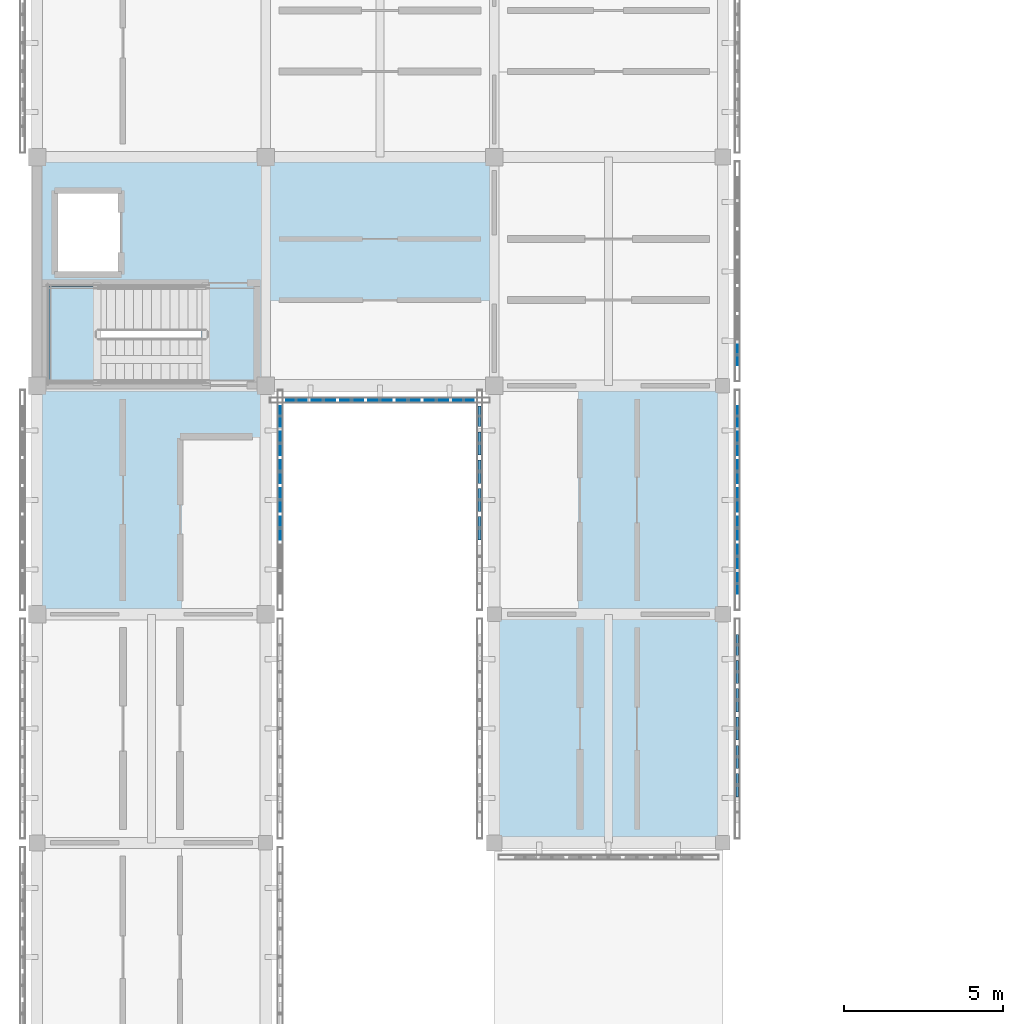
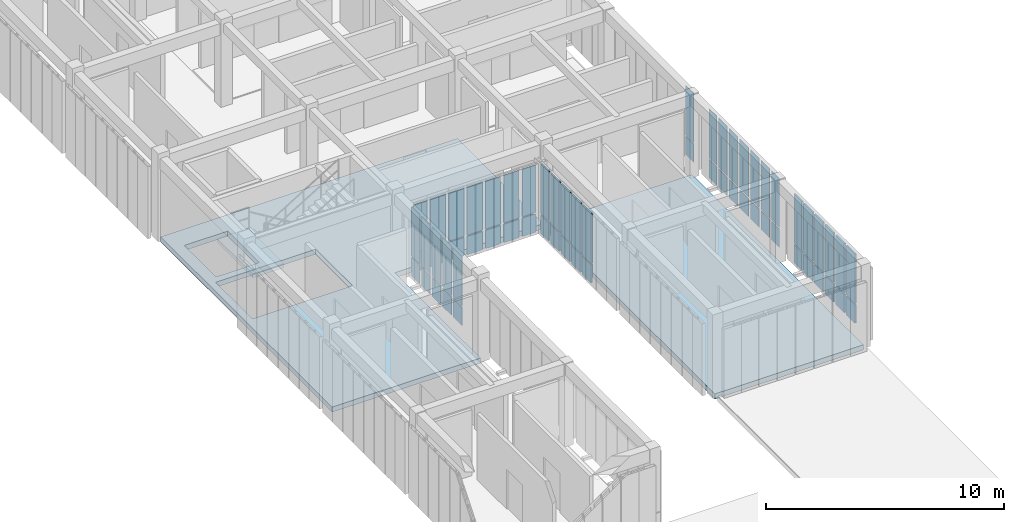
# One storey, part 45 of 91: 62 plates, 3 slabs, 7 elements without a shape of their own.
"""IFC4 building model written with IfcOpenShell, lengths in metres."""

from ifc_helpers import new_model, si_unit, direction, frame, origin, origin_2d, place, context, subcontext, project, spatial, polyline, rectangle, outline, extrude, material, layer, layer_set, type_object, element, aggregate, save


model = new_model("IFC4")

# Units and contexts
model_context = context("Model", 3, precision=1e-05, world=origin(), true_north=direction((0.0, 1.0)))
body_context = subcontext(model_context, "Body", "Model", "MODEL_VIEW")
ifc_project = project(units=[si_unit("LENGTHUNIT", "METRE"), si_unit("AREAUNIT", "SQUARE_METRE"), si_unit("VOLUMEUNIT", "CUBIC_METRE"), si_unit("PLANEANGLEUNIT", "RADIAN"), si_unit("MASSUNIT", "GRAM", prefix="KILO")], contexts=[model_context])

# Site, building, storey
site_placement = place(None, origin())
site = spatial("IfcSite", under=ifc_project, at=site_placement, CompositionType="ELEMENT")
building_placement = place(site_placement, origin())
building = spatial("IfcBuilding", under=site, at=building_placement, Name="Aldebral Square Health Centre", CompositionType="ELEMENT")
storey_placement = place(building_placement, frame((0.0, 0.0, 9.0)))
storey = spatial("IfcBuildingStorey", under=building, at=storey_placement, Name="L02", CompositionType="ELEMENT", Elevation=9.0)

# Curtain wall, plates
ifc_material_1 = material(Name="Aluminium and low-E solar glass", Category="aluminium")
curtain_wall_type = type_object("IfcCurtainWallType", Name="CW-FIN-SYS", PredefinedType="USERDEFINED", material=ifc_material_1)
curtain_wall_1_placement = place(storey_placement, origin())
curtain_wall_1 = element("IfcCurtainWall", 1, at=curtain_wall_1_placement, inside=storey, type_object=curtain_wall_type, Name="L02 V6 finned curtain wall L02-V6-02-03-E", ObjectType="SOLAR_CURTAIN_WALL", PredefinedType="USERDEFINED")
ifc_material_2 = material(Name="Solar-control low-E double glass", Category="glass")
ifc_layer_1 = layer(ifc_material_2, 0.02001953125, Name="Solar-control low-E double glass", Category="glass")
ifc_layer_set_1 = layer_set([ifc_layer_1], Name="Solar-control low-E double glass")
plate_type_1 = type_object("IfcPlateType", Name="CWP-GLZ-1", PredefinedType="CURTAIN_PANEL", material=ifc_layer_set_1)
plate_1_placement = place(storey_placement, frame((22.06005859375, 22.565673828125, 0.074951171875), z_axis=(0.0, 0.0, 1.0), x_axis=(0.0, 1.0, 0.0)))
plate_1 = element("IfcPlate", 2, at=plate_1_placement, type_object=plate_type_1, Name="CW1 panel 1.1", PredefinedType="CURTAIN_PANEL", context=body_context, shape_type="SweptSolid", body=[
    extrude(rectangle(XDim=0.6513671875, YDim=0.02001953125, at=origin_2d()), origin(), (0.0, 0.0, 1.0), 0.9375),
])
plate_2_placement = place(storey_placement, frame((22.06005859375, 22.565673828125, 1.08740234375), z_axis=(0.0, 0.0, 1.0), x_axis=(0.0, 1.0, 0.0)))
plate_2 = element("IfcPlate", 3, at=plate_2_placement, type_object=plate_type_1, Name="CW1 panel 1.2", PredefinedType="CURTAIN_PANEL", context=body_context, shape_type="SweptSolid", body=[
    extrude(rectangle(XDim=0.6513671875, YDim=0.02001953125, at=origin_2d()), origin(), (0.0, 0.0, 1.0), 2.527587890625),
])
plate_3_placement = place(storey_placement, frame((22.06005859375, 23.417236328125, 0.074951171875), z_axis=(0.0, 0.0, 1.0), x_axis=(0.0, 1.0, 0.0)))
plate_3 = element("IfcPlate", 4, at=plate_3_placement, type_object=plate_type_1, Name="CW1 panel 2.1", PredefinedType="CURTAIN_PANEL", context=body_context, shape_type="SweptSolid", body=[
    extrude(rectangle(XDim=0.7314453125, YDim=0.02001953125, at=origin_2d()), origin(), (0.0, 0.0, 1.0), 0.9375),
])
plate_4_placement = place(storey_placement, frame((22.06005859375, 23.417236328125, 1.08740234375), z_axis=(0.0, 0.0, 1.0), x_axis=(0.0, 1.0, 0.0)))
plate_4 = element("IfcPlate", 5, at=plate_4_placement, type_object=plate_type_1, Name="CW1 panel 2.2", PredefinedType="CURTAIN_PANEL", context=body_context, shape_type="SweptSolid", body=[
    extrude(rectangle(XDim=0.7314453125, YDim=0.02001953125, at=origin_2d()), origin(), (0.0, 0.0, 1.0), 2.527587890625),
])
plate_5_placement = place(storey_placement, frame((22.06005859375, 24.30859375, 0.074951171875), z_axis=(0.0, 0.0, 1.0), x_axis=(0.0, 1.0, 0.0)))
plate_5 = element("IfcPlate", 6, at=plate_5_placement, type_object=plate_type_1, Name="CW1 panel 3.1", PredefinedType="CURTAIN_PANEL", context=body_context, shape_type="SweptSolid", body=[
    extrude(rectangle(XDim=0.7314453125, YDim=0.02001953125, at=origin_2d()), origin(), (0.0, 0.0, 1.0), 0.9375),
])
plate_6_placement = place(storey_placement, frame((22.06005859375, 24.30859375, 1.08740234375), z_axis=(0.0, 0.0, 1.0), x_axis=(0.0, 1.0, 0.0)))
plate_6 = element("IfcPlate", 7, at=plate_6_placement, type_object=plate_type_1, Name="CW1 panel 3.2", PredefinedType="CURTAIN_PANEL", context=body_context, shape_type="SweptSolid", body=[
    extrude(rectangle(XDim=0.7314453125, YDim=0.02001953125, at=origin_2d()), origin(), (0.0, 0.0, 1.0), 2.527587890625),
])
plate_7_placement = place(storey_placement, frame((22.06005859375, 25.199951171875, 0.074951171875), z_axis=(0.0, 0.0, 1.0), x_axis=(0.0, 1.0, 0.0)))
plate_7 = element("IfcPlate", 8, at=plate_7_placement, type_object=plate_type_1, Name="CW1 panel 4.1", PredefinedType="CURTAIN_PANEL", context=body_context, shape_type="SweptSolid", body=[
    extrude(rectangle(XDim=0.7314453125, YDim=0.02001953125, at=origin_2d()), origin(), (0.0, 0.0, 1.0), 0.9375),
])
plate_8_placement = place(storey_placement, frame((22.06005859375, 25.199951171875, 1.08740234375), z_axis=(0.0, 0.0, 1.0), x_axis=(0.0, 1.0, 0.0)))
plate_8 = element("IfcPlate", 9, at=plate_8_placement, type_object=plate_type_1, Name="CW1 panel 4.2", PredefinedType="CURTAIN_PANEL", context=body_context, shape_type="SweptSolid", body=[
    extrude(rectangle(XDim=0.7314453125, YDim=0.02001953125, at=origin_2d()), origin(), (0.0, 0.0, 1.0), 2.527587890625),
])
plate_9_placement = place(storey_placement, frame((22.06005859375, 26.09130859375, 0.074951171875), z_axis=(0.0, 0.0, 1.0), x_axis=(0.0, 1.0, 0.0)))
plate_9 = element("IfcPlate", 10, at=plate_9_placement, type_object=plate_type_1, Name="CW1 panel 5.1", PredefinedType="CURTAIN_PANEL", context=body_context, shape_type="SweptSolid", body=[
    extrude(rectangle(XDim=0.7314453125, YDim=0.02001953125, at=origin_2d()), origin(), (0.0, 0.0, 1.0), 0.9375),
])
plate_10_placement = place(storey_placement, frame((22.06005859375, 26.09130859375, 1.08740234375), z_axis=(0.0, 0.0, 1.0), x_axis=(0.0, 1.0, 0.0)))
plate_10 = element("IfcPlate", 11, at=plate_10_placement, type_object=plate_type_1, Name="CW1 panel 5.2", PredefinedType="CURTAIN_PANEL", context=body_context, shape_type="SweptSolid", body=[
    extrude(rectangle(XDim=0.7314453125, YDim=0.02001953125, at=origin_2d()), origin(), (0.0, 0.0, 1.0), 2.527587890625),
])
plate_11_placement = place(storey_placement, frame((22.06005859375, 26.98291015625, 0.074951171875), z_axis=(0.0, 0.0, 1.0), x_axis=(0.0, 1.0, 0.0)))
plate_11 = element("IfcPlate", 12, at=plate_11_placement, type_object=plate_type_1, Name="CW1 panel 6.1", PredefinedType="CURTAIN_PANEL", context=body_context, shape_type="SweptSolid", body=[
    extrude(rectangle(XDim=0.7314453125, YDim=0.02001953125, at=origin_2d()), origin(), (0.0, 0.0, 1.0), 0.9375),
])
plate_12_placement = place(storey_placement, frame((22.06005859375, 26.98291015625, 1.08740234375), z_axis=(0.0, 0.0, 1.0), x_axis=(0.0, 1.0, 0.0)))
plate_12 = element("IfcPlate", 13, at=plate_12_placement, type_object=plate_type_1, Name="CW1 panel 6.2", PredefinedType="CURTAIN_PANEL", context=body_context, shape_type="SweptSolid", body=[
    extrude(rectangle(XDim=0.7314453125, YDim=0.02001953125, at=origin_2d()), origin(), (0.0, 0.0, 1.0), 2.527587890625),
])
plate_13_placement = place(storey_placement, frame((22.06005859375, 27.834228515625, 0.074951171875), z_axis=(0.0, 0.0, 1.0), x_axis=(0.0, 1.0, 0.0)))
plate_13 = element("IfcPlate", 14, at=plate_13_placement, type_object=plate_type_1, Name="CW1 panel 7.1", PredefinedType="CURTAIN_PANEL", context=body_context, shape_type="SweptSolid", body=[
    extrude(rectangle(XDim=0.6513671875, YDim=0.02001953125, at=origin_2d()), origin(), (0.0, 0.0, 1.0), 0.9375),
])
plate_14_placement = place(storey_placement, frame((22.06005859375, 27.834228515625, 1.08740234375), z_axis=(0.0, 0.0, 1.0), x_axis=(0.0, 1.0, 0.0)))
plate_14 = element("IfcPlate", 15, at=plate_14_placement, type_object=plate_type_1, Name="CW1 panel 7.2", PredefinedType="CURTAIN_PANEL", context=body_context, shape_type="SweptSolid", body=[
    extrude(rectangle(XDim=0.6513671875, YDim=0.02001953125, at=origin_2d()), origin(), (0.0, 0.0, 1.0), 2.527587890625),
])
aggregate(curtain_wall_1, [plate_1, plate_2, plate_3, plate_4, plate_5, plate_6, plate_7, plate_8, plate_9, plate_10, plate_11, plate_12, plate_13, plate_14])

curtain_wall_2_placement = place(storey_placement, origin())
curtain_wall_2 = element("IfcCurtainWall", 16, at=curtain_wall_2_placement, inside=storey, type_object=curtain_wall_type, Name="L02 V6 finned curtain wall L02-V6-00-03-E", ObjectType="SOLAR_CURTAIN_WALL", PredefinedType="USERDEFINED")
ifc_layer_2 = layer(ifc_material_2, 0.030029296875, Name="Solar-control low-E double glass", Category="glass")
ifc_layer_set_2 = layer_set([ifc_layer_2], Name="Solar-control low-E double glass")
plate_type_2 = type_object("IfcPlateType", Name="CWP-GLZ-2", PredefinedType="CURTAIN_PANEL", material=ifc_layer_set_2)
plate_15_placement = place(storey_placement, frame((7.659912109375, 24.30859375, 0.074951171875), z_axis=(0.0, 0.0, 1.0), x_axis=(0.0, 1.0, 0.0)))
plate_15 = element("IfcPlate", 17, at=plate_15_placement, type_object=plate_type_2, Name="CW1 panel 3.1", PredefinedType="CURTAIN_PANEL", context=body_context, shape_type="SweptSolid", body=[
    extrude(rectangle(XDim=0.7314453125, YDim=0.030029296875, at=origin_2d()), origin(), (0.0, 0.0, 1.0), 0.9375),
])
plate_16_placement = place(storey_placement, frame((7.659912109375, 24.30859375, 1.08740234375), z_axis=(0.0, 0.0, 1.0), x_axis=(0.0, 1.0, 0.0)))
plate_16 = element("IfcPlate", 18, at=plate_16_placement, type_object=plate_type_2, Name="CW1 panel 3.2", PredefinedType="CURTAIN_PANEL", context=body_context, shape_type="SweptSolid", body=[
    extrude(rectangle(XDim=0.7314453125, YDim=0.030029296875, at=origin_2d()), origin(), (0.0, 0.0, 1.0), 2.527587890625),
])
plate_17_placement = place(storey_placement, frame((7.659912109375, 25.199951171875, 0.074951171875), z_axis=(0.0, 0.0, 1.0), x_axis=(0.0, 1.0, 0.0)))
plate_17 = element("IfcPlate", 19, at=plate_17_placement, type_object=plate_type_2, Name="CW1 panel 4.1", PredefinedType="CURTAIN_PANEL", context=body_context, shape_type="SweptSolid", body=[
    extrude(rectangle(XDim=0.7314453125, YDim=0.030029296875, at=origin_2d()), origin(), (0.0, 0.0, 1.0), 0.9375),
])
plate_18_placement = place(storey_placement, frame((7.659912109375, 25.199951171875, 1.08740234375), z_axis=(0.0, 0.0, 1.0), x_axis=(0.0, 1.0, 0.0)))
plate_18 = element("IfcPlate", 20, at=plate_18_placement, type_object=plate_type_2, Name="CW1 panel 4.2", PredefinedType="CURTAIN_PANEL", context=body_context, shape_type="SweptSolid", body=[
    extrude(rectangle(XDim=0.7314453125, YDim=0.030029296875, at=origin_2d()), origin(), (0.0, 0.0, 1.0), 2.527587890625),
])
plate_19_placement = place(storey_placement, frame((7.659912109375, 26.09130859375, 0.074951171875), z_axis=(0.0, 0.0, 1.0), x_axis=(0.0, 1.0, 0.0)))
plate_19 = element("IfcPlate", 21, at=plate_19_placement, type_object=plate_type_2, Name="CW1 panel 5.1", PredefinedType="CURTAIN_PANEL", context=body_context, shape_type="SweptSolid", body=[
    extrude(rectangle(XDim=0.7314453125, YDim=0.030029296875, at=origin_2d()), origin(), (0.0, 0.0, 1.0), 0.9375),
])
plate_20_placement = place(storey_placement, frame((7.659912109375, 26.09130859375, 1.08740234375), z_axis=(0.0, 0.0, 1.0), x_axis=(0.0, 1.0, 0.0)))
plate_20 = element("IfcPlate", 22, at=plate_20_placement, type_object=plate_type_2, Name="CW1 panel 5.2", PredefinedType="CURTAIN_PANEL", context=body_context, shape_type="SweptSolid", body=[
    extrude(rectangle(XDim=0.7314453125, YDim=0.030029296875, at=origin_2d()), origin(), (0.0, 0.0, 1.0), 2.527587890625),
])
plate_21_placement = place(storey_placement, frame((7.659912109375, 26.98291015625, 0.074951171875), z_axis=(0.0, 0.0, 1.0), x_axis=(0.0, 1.0, 0.0)))
plate_21 = element("IfcPlate", 23, at=plate_21_placement, type_object=plate_type_2, Name="CW1 panel 6.1", PredefinedType="CURTAIN_PANEL", context=body_context, shape_type="SweptSolid", body=[
    extrude(rectangle(XDim=0.7314453125, YDim=0.030029296875, at=origin_2d()), origin(), (0.0, 0.0, 1.0), 0.9375),
])
plate_22_placement = place(storey_placement, frame((7.659912109375, 26.98291015625, 1.08740234375), z_axis=(0.0, 0.0, 1.0), x_axis=(0.0, 1.0, 0.0)))
plate_22 = element("IfcPlate", 24, at=plate_22_placement, type_object=plate_type_2, Name="CW1 panel 6.2", PredefinedType="CURTAIN_PANEL", context=body_context, shape_type="SweptSolid", body=[
    extrude(rectangle(XDim=0.7314453125, YDim=0.030029296875, at=origin_2d()), origin(), (0.0, 0.0, 1.0), 2.527587890625),
])
plate_23_placement = place(storey_placement, frame((7.659912109375, 27.834228515625, 0.074951171875), z_axis=(0.0, 0.0, 1.0), x_axis=(0.0, 1.0, 0.0)))
plate_23 = element("IfcPlate", 25, at=plate_23_placement, type_object=plate_type_2, Name="CW1 panel 7.1", PredefinedType="CURTAIN_PANEL", context=body_context, shape_type="SweptSolid", body=[
    extrude(rectangle(XDim=0.6513671875, YDim=0.030029296875, at=origin_2d()), origin(), (0.0, 0.0, 1.0), 0.9375),
])
plate_24_placement = place(storey_placement, frame((7.659912109375, 27.834228515625, 1.08740234375), z_axis=(0.0, 0.0, 1.0), x_axis=(0.0, 1.0, 0.0)))
plate_24 = element("IfcPlate", 26, at=plate_24_placement, type_object=plate_type_2, Name="CW1 panel 7.2", PredefinedType="CURTAIN_PANEL", context=body_context, shape_type="SweptSolid", body=[
    extrude(rectangle(XDim=0.6513671875, YDim=0.030029296875, at=origin_2d()), origin(), (0.0, 0.0, 1.0), 2.527587890625),
])
aggregate(curtain_wall_2, [plate_15, plate_16, plate_17, plate_18, plate_19, plate_20, plate_21, plate_22, plate_23, plate_24])

curtain_wall_3_placement = place(storey_placement, origin())
curtain_wall_3 = element("IfcCurtainWall", 27, at=curtain_wall_3_placement, inside=storey, type_object=curtain_wall_type, Name="L02 V6 finned curtain wall L02-V6-01-04-S", ObjectType="SOLAR_CURTAIN_WALL", PredefinedType="USERDEFINED")
plate_25_placement = place(storey_placement, frame((8.165771484375, 28.340087890625, 0.074951171875), z_axis=(0.0, 0.0, 1.0), x_axis=(1.0, 0.0, 0.0)))
plate_25 = element("IfcPlate", 28, at=plate_25_placement, type_object=plate_type_2, Name="CW1 panel 1.1", PredefinedType="CURTAIN_PANEL", context=body_context, shape_type="SweptSolid", body=[
    extrude(rectangle(XDim=0.6513671875, YDim=0.030029296875, at=origin_2d()), origin(), (0.0, 0.0, 1.0), 0.9375),
])
plate_26_placement = place(storey_placement, frame((8.165771484375, 28.340087890625, 1.08740234375), z_axis=(0.0, 0.0, 1.0), x_axis=(1.0, 0.0, 0.0)))
plate_26 = element("IfcPlate", 29, at=plate_26_placement, type_object=plate_type_2, Name="CW1 panel 1.2", PredefinedType="CURTAIN_PANEL", context=body_context, shape_type="SweptSolid", body=[
    extrude(rectangle(XDim=0.6513671875, YDim=0.030029296875, at=origin_2d()), origin(), (0.0, 0.0, 1.0), 2.427490234375),
])
plate_27_placement = place(storey_placement, frame((9.01708984375, 28.340087890625, 0.074951171875), z_axis=(0.0, 0.0, 1.0), x_axis=(1.0, 0.0, 0.0)))
plate_27 = element("IfcPlate", 30, at=plate_27_placement, type_object=plate_type_2, Name="CW1 panel 2.1", PredefinedType="CURTAIN_PANEL", context=body_context, shape_type="SweptSolid", body=[
    extrude(rectangle(XDim=0.7314453125, YDim=0.030029296875, at=origin_2d()), origin(), (0.0, 0.0, 1.0), 0.9375),
])
plate_28_placement = place(storey_placement, frame((9.01708984375, 28.340087890625, 1.08740234375), z_axis=(0.0, 0.0, 1.0), x_axis=(1.0, 0.0, 0.0)))
plate_28 = element("IfcPlate", 31, at=plate_28_placement, type_object=plate_type_2, Name="CW1 panel 2.2", PredefinedType="CURTAIN_PANEL", context=body_context, shape_type="SweptSolid", body=[
    extrude(rectangle(XDim=0.7314453125, YDim=0.030029296875, at=origin_2d()), origin(), (0.0, 0.0, 1.0), 2.427490234375),
])
plate_29_placement = place(storey_placement, frame((9.90869140625, 28.340087890625, 0.074951171875), z_axis=(0.0, 0.0, 1.0), x_axis=(1.0, 0.0, 0.0)))
plate_29 = element("IfcPlate", 32, at=plate_29_placement, type_object=plate_type_2, Name="CW1 panel 3.1", PredefinedType="CURTAIN_PANEL", context=body_context, shape_type="SweptSolid", body=[
    extrude(rectangle(XDim=0.7314453125, YDim=0.030029296875, at=origin_2d()), origin(), (0.0, 0.0, 1.0), 0.9375),
])
plate_30_placement = place(storey_placement, frame((9.90869140625, 28.340087890625, 1.08740234375), z_axis=(0.0, 0.0, 1.0), x_axis=(1.0, 0.0, 0.0)))
plate_30 = element("IfcPlate", 33, at=plate_30_placement, type_object=plate_type_2, Name="CW1 panel 3.2", PredefinedType="CURTAIN_PANEL", context=body_context, shape_type="SweptSolid", body=[
    extrude(rectangle(XDim=0.7314453125, YDim=0.030029296875, at=origin_2d()), origin(), (0.0, 0.0, 1.0), 2.427490234375),
])
plate_31_placement = place(storey_placement, frame((10.800048828125, 28.340087890625, 0.074951171875), z_axis=(0.0, 0.0, 1.0), x_axis=(1.0, 0.0, 0.0)))
plate_31 = element("IfcPlate", 34, at=plate_31_placement, type_object=plate_type_2, Name="CW1 panel 4.1", PredefinedType="CURTAIN_PANEL", context=body_context, shape_type="SweptSolid", body=[
    extrude(rectangle(XDim=0.7314453125, YDim=0.030029296875, at=origin_2d()), origin(), (0.0, 0.0, 1.0), 0.9375),
])
plate_32_placement = place(storey_placement, frame((10.800048828125, 28.340087890625, 1.08740234375), z_axis=(0.0, 0.0, 1.0), x_axis=(1.0, 0.0, 0.0)))
plate_32 = element("IfcPlate", 35, at=plate_32_placement, type_object=plate_type_2, Name="CW1 panel 4.2", PredefinedType="CURTAIN_PANEL", context=body_context, shape_type="SweptSolid", body=[
    extrude(rectangle(XDim=0.7314453125, YDim=0.030029296875, at=origin_2d()), origin(), (0.0, 0.0, 1.0), 2.427490234375),
])
plate_33_placement = place(storey_placement, frame((11.69140625, 28.340087890625, 0.074951171875), z_axis=(0.0, 0.0, 1.0), x_axis=(1.0, 0.0, 0.0)))
plate_33 = element("IfcPlate", 36, at=plate_33_placement, type_object=plate_type_2, Name="CW1 panel 5.1", PredefinedType="CURTAIN_PANEL", context=body_context, shape_type="SweptSolid", body=[
    extrude(rectangle(XDim=0.7314453125, YDim=0.030029296875, at=origin_2d()), origin(), (0.0, 0.0, 1.0), 0.9375),
])
plate_34_placement = place(storey_placement, frame((11.69140625, 28.340087890625, 1.08740234375), z_axis=(0.0, 0.0, 1.0), x_axis=(1.0, 0.0, 0.0)))
plate_34 = element("IfcPlate", 37, at=plate_34_placement, type_object=plate_type_2, Name="CW1 panel 5.2", PredefinedType="CURTAIN_PANEL", context=body_context, shape_type="SweptSolid", body=[
    extrude(rectangle(XDim=0.7314453125, YDim=0.030029296875, at=origin_2d()), origin(), (0.0, 0.0, 1.0), 2.427490234375),
])
plate_35_placement = place(storey_placement, frame((12.582763671875, 28.340087890625, 0.074951171875), z_axis=(0.0, 0.0, 1.0), x_axis=(1.0, 0.0, 0.0)))
plate_35 = element("IfcPlate", 38, at=plate_35_placement, type_object=plate_type_2, Name="CW1 panel 6.1", PredefinedType="CURTAIN_PANEL", context=body_context, shape_type="SweptSolid", body=[
    extrude(rectangle(XDim=0.7314453125, YDim=0.030029296875, at=origin_2d()), origin(), (0.0, 0.0, 1.0), 0.9375),
])
plate_36_placement = place(storey_placement, frame((12.582763671875, 28.340087890625, 1.08740234375), z_axis=(0.0, 0.0, 1.0), x_axis=(1.0, 0.0, 0.0)))
plate_36 = element("IfcPlate", 39, at=plate_36_placement, type_object=plate_type_2, Name="CW1 panel 6.2", PredefinedType="CURTAIN_PANEL", context=body_context, shape_type="SweptSolid", body=[
    extrude(rectangle(XDim=0.7314453125, YDim=0.030029296875, at=origin_2d()), origin(), (0.0, 0.0, 1.0), 2.427490234375),
])
plate_37_placement = place(storey_placement, frame((13.434326171875, 28.340087890625, 0.074951171875), z_axis=(0.0, 0.0, 1.0), x_axis=(1.0, 0.0, 0.0)))
plate_37 = element("IfcPlate", 40, at=plate_37_placement, type_object=plate_type_2, Name="CW1 panel 7.1", PredefinedType="CURTAIN_PANEL", context=body_context, shape_type="SweptSolid", body=[
    extrude(rectangle(XDim=0.6513671875, YDim=0.030029296875, at=origin_2d()), origin(), (0.0, 0.0, 1.0), 0.9375),
])
plate_38_placement = place(storey_placement, frame((13.434326171875, 28.340087890625, 1.08740234375), z_axis=(0.0, 0.0, 1.0), x_axis=(1.0, 0.0, 0.0)))
plate_38 = element("IfcPlate", 41, at=plate_38_placement, type_object=plate_type_2, Name="CW1 panel 7.2", PredefinedType="CURTAIN_PANEL", context=body_context, shape_type="SweptSolid", body=[
    extrude(rectangle(XDim=0.6513671875, YDim=0.030029296875, at=origin_2d()), origin(), (0.0, 0.0, 1.0), 2.427490234375),
])
aggregate(curtain_wall_3, [plate_25, plate_26, plate_27, plate_28, plate_29, plate_30, plate_31, plate_32, plate_33, plate_34, plate_35, plate_36, plate_37, plate_38])

curtain_wall_4_placement = place(storey_placement, origin())
curtain_wall_4 = element("IfcCurtainWall", 42, at=curtain_wall_4_placement, inside=storey, type_object=curtain_wall_type, Name="L02 V6 finned curtain wall L02-V6-02-04-E", ObjectType="SOLAR_CURTAIN_WALL", PredefinedType="USERDEFINED")
plate_39_placement = place(storey_placement, frame((22.06005859375, 29.765625, 0.074951171875), z_axis=(0.0, 0.0, 1.0), x_axis=(0.0, 1.0, 0.0)))
plate_39 = element("IfcPlate", 43, at=plate_39_placement, type_object=plate_type_2, Name="CW1 panel 1.1", PredefinedType="CURTAIN_PANEL", context=body_context, shape_type="SweptSolid", body=[
    extrude(rectangle(XDim=0.6513671875, YDim=0.030029296875, at=origin_2d()), origin(), (0.0, 0.0, 1.0), 0.9375),
])
plate_40_placement = place(storey_placement, frame((22.06005859375, 29.765625, 1.08740234375), z_axis=(0.0, 0.0, 1.0), x_axis=(0.0, 1.0, 0.0)))
plate_40 = element("IfcPlate", 44, at=plate_40_placement, type_object=plate_type_2, Name="CW1 panel 1.2", PredefinedType="CURTAIN_PANEL", context=body_context, shape_type="SweptSolid", body=[
    extrude(rectangle(XDim=0.6513671875, YDim=0.030029296875, at=origin_2d()), origin(), (0.0, 0.0, 1.0), 2.527587890625),
])
aggregate(curtain_wall_4, [plate_39, plate_40])

curtain_wall_5_placement = place(storey_placement, origin())
curtain_wall_5 = element("IfcCurtainWall", 45, at=curtain_wall_5_placement, inside=storey, type_object=curtain_wall_type, Name="L02 V6 finned curtain wall L02-V6-02-02-E", ObjectType="SOLAR_CURTAIN_WALL", PredefinedType="USERDEFINED")
ifc_layer_3 = layer(ifc_material_2, 0.080078125, Name="Solar-control low-E double glass", Category="glass")
ifc_layer_set_3 = layer_set([ifc_layer_3], Name="Solar-control low-E double glass")
plate_type_3 = type_object("IfcPlateType", Name="CWP-GLZ-7", PredefinedType="CURTAIN_PANEL", material=ifc_layer_set_3)
plate_41_placement = place(storey_placement, frame((22.06005859375, 16.217041015625, 0.074951171875), z_axis=(0.0, 0.0, 1.0), x_axis=(0.0, 1.0, 0.0)))
plate_41 = element("IfcPlate", 46, at=plate_41_placement, type_object=plate_type_3, Name="CW1 panel 2.1", PredefinedType="CURTAIN_PANEL", context=body_context, shape_type="SweptSolid", body=[
    extrude(rectangle(XDim=0.7314453125, YDim=0.080078125, at=origin_2d()), origin(), (0.0, 0.0, 1.0), 0.9375),
])
plate_42_placement = place(storey_placement, frame((22.06005859375, 16.217041015625, 1.08740234375), z_axis=(0.0, 0.0, 1.0), x_axis=(0.0, 1.0, 0.0)))
plate_42 = element("IfcPlate", 47, at=plate_42_placement, type_object=plate_type_3, Name="CW1 panel 2.2", PredefinedType="CURTAIN_PANEL", context=body_context, shape_type="SweptSolid", body=[
    extrude(rectangle(XDim=0.7314453125, YDim=0.080078125, at=origin_2d()), origin(), (0.0, 0.0, 1.0), 2.527587890625),
])
plate_43_placement = place(storey_placement, frame((22.06005859375, 17.108642578125, 0.074951171875), z_axis=(0.0, 0.0, 1.0), x_axis=(0.0, 1.0, 0.0)))
plate_43 = element("IfcPlate", 48, at=plate_43_placement, type_object=plate_type_3, Name="CW1 panel 3.1", PredefinedType="CURTAIN_PANEL", context=body_context, shape_type="SweptSolid", body=[
    extrude(rectangle(XDim=0.7314453125, YDim=0.080078125, at=origin_2d()), origin(), (0.0, 0.0, 1.0), 0.9375),
])
plate_44_placement = place(storey_placement, frame((22.06005859375, 17.108642578125, 1.08740234375), z_axis=(0.0, 0.0, 1.0), x_axis=(0.0, 1.0, 0.0)))
plate_44 = element("IfcPlate", 49, at=plate_44_placement, type_object=plate_type_3, Name="CW1 panel 3.2", PredefinedType="CURTAIN_PANEL", context=body_context, shape_type="SweptSolid", body=[
    extrude(rectangle(XDim=0.7314453125, YDim=0.080078125, at=origin_2d()), origin(), (0.0, 0.0, 1.0), 2.527587890625),
])
plate_45_placement = place(storey_placement, frame((22.06005859375, 18.0, 0.074951171875), z_axis=(0.0, 0.0, 1.0), x_axis=(0.0, 1.0, 0.0)))
plate_45 = element("IfcPlate", 50, at=plate_45_placement, type_object=plate_type_3, Name="CW1 panel 4.1", PredefinedType="CURTAIN_PANEL", context=body_context, shape_type="SweptSolid", body=[
    extrude(rectangle(XDim=0.7314453125, YDim=0.080078125, at=origin_2d()), origin(), (0.0, 0.0, 1.0), 0.9375),
])
plate_46_placement = place(storey_placement, frame((22.06005859375, 18.0, 1.08740234375), z_axis=(0.0, 0.0, 1.0), x_axis=(0.0, 1.0, 0.0)))
plate_46 = element("IfcPlate", 51, at=plate_46_placement, type_object=plate_type_3, Name="CW1 panel 4.2", PredefinedType="CURTAIN_PANEL", context=body_context, shape_type="SweptSolid", body=[
    extrude(rectangle(XDim=0.7314453125, YDim=0.080078125, at=origin_2d()), origin(), (0.0, 0.0, 1.0), 2.527587890625),
])
plate_47_placement = place(storey_placement, frame((22.06005859375, 18.891357421875, 0.074951171875), z_axis=(0.0, 0.0, 1.0), x_axis=(0.0, 1.0, 0.0)))
plate_47 = element("IfcPlate", 52, at=plate_47_placement, type_object=plate_type_3, Name="CW1 panel 5.1", PredefinedType="CURTAIN_PANEL", context=body_context, shape_type="SweptSolid", body=[
    extrude(rectangle(XDim=0.7314453125, YDim=0.080078125, at=origin_2d()), origin(), (0.0, 0.0, 1.0), 0.9375),
])
plate_48_placement = place(storey_placement, frame((22.06005859375, 18.891357421875, 1.08740234375), z_axis=(0.0, 0.0, 1.0), x_axis=(0.0, 1.0, 0.0)))
plate_48 = element("IfcPlate", 53, at=plate_48_placement, type_object=plate_type_3, Name="CW1 panel 5.2", PredefinedType="CURTAIN_PANEL", context=body_context, shape_type="SweptSolid", body=[
    extrude(rectangle(XDim=0.7314453125, YDim=0.080078125, at=origin_2d()), origin(), (0.0, 0.0, 1.0), 2.527587890625),
])
plate_49_placement = place(storey_placement, frame((22.06005859375, 19.782958984375, 0.074951171875), z_axis=(0.0, 0.0, 1.0), x_axis=(0.0, 1.0, 0.0)))
plate_49 = element("IfcPlate", 54, at=plate_49_placement, type_object=plate_type_3, Name="CW1 panel 6.1", PredefinedType="CURTAIN_PANEL", context=body_context, shape_type="SweptSolid", body=[
    extrude(rectangle(XDim=0.7314453125, YDim=0.080078125, at=origin_2d()), origin(), (0.0, 0.0, 1.0), 0.9375),
])
plate_50_placement = place(storey_placement, frame((22.06005859375, 19.782958984375, 1.08740234375), z_axis=(0.0, 0.0, 1.0), x_axis=(0.0, 1.0, 0.0)))
plate_50 = element("IfcPlate", 55, at=plate_50_placement, type_object=plate_type_3, Name="CW1 panel 6.2", PredefinedType="CURTAIN_PANEL", context=body_context, shape_type="SweptSolid", body=[
    extrude(rectangle(XDim=0.7314453125, YDim=0.080078125, at=origin_2d()), origin(), (0.0, 0.0, 1.0), 2.527587890625),
])
plate_51_placement = place(storey_placement, frame((22.06005859375, 20.63427734375, 0.074951171875), z_axis=(0.0, 0.0, 1.0), x_axis=(0.0, 1.0, 0.0)))
plate_51 = element("IfcPlate", 56, at=plate_51_placement, type_object=plate_type_3, Name="CW1 panel 7.1", PredefinedType="CURTAIN_PANEL", context=body_context, shape_type="SweptSolid", body=[
    extrude(rectangle(XDim=0.6513671875, YDim=0.080078125, at=origin_2d()), origin(), (0.0, 0.0, 1.0), 0.9375),
])
plate_52_placement = place(storey_placement, frame((22.06005859375, 20.63427734375, 1.08740234375), z_axis=(0.0, 0.0, 1.0), x_axis=(0.0, 1.0, 0.0)))
plate_52 = element("IfcPlate", 57, at=plate_52_placement, type_object=plate_type_3, Name="CW1 panel 7.2", PredefinedType="CURTAIN_PANEL", context=body_context, shape_type="SweptSolid", body=[
    extrude(rectangle(XDim=0.6513671875, YDim=0.080078125, at=origin_2d()), origin(), (0.0, 0.0, 1.0), 2.527587890625),
])
aggregate(curtain_wall_5, [plate_41, plate_42, plate_43, plate_44, plate_45, plate_46, plate_47, plate_48, plate_49, plate_50, plate_51, plate_52])

curtain_wall_6_placement = place(storey_placement, origin())
curtain_wall_6 = element("IfcCurtainWall", 58, at=curtain_wall_6_placement, inside=storey, type_object=curtain_wall_type, Name="L02 V6 finned curtain wall L02-V6-02-03-W", ObjectType="SOLAR_CURTAIN_WALL", PredefinedType="USERDEFINED")
ifc_layer_4 = layer(ifc_material_2, 0.090087890625, Name="Solar-control low-E double glass", Category="glass")
ifc_layer_set_4 = layer_set([ifc_layer_4], Name="Solar-control low-E double glass")
plate_type_4 = type_object("IfcPlateType", Name="CWP-GLZ-8", PredefinedType="CURTAIN_PANEL", material=ifc_layer_set_4)
plate_53_placement = place(storey_placement, frame((13.93994140625, 27.834228515625, 0.074951171875), z_axis=(0.0, 0.0, 1.0), x_axis=(0.0, -1.0, 0.0)))
plate_53 = element("IfcPlate", 59, at=plate_53_placement, type_object=plate_type_4, Name="CW1 panel 1.1", PredefinedType="CURTAIN_PANEL", context=body_context, shape_type="SweptSolid", body=[
    extrude(rectangle(XDim=0.6513671875, YDim=0.090087890625, at=origin_2d()), origin(), (0.0, 0.0, 1.0), 0.9375),
])
plate_54_placement = place(storey_placement, frame((13.93994140625, 27.834228515625, 1.08740234375), z_axis=(0.0, 0.0, 1.0), x_axis=(0.0, -1.0, 0.0)))
plate_54 = element("IfcPlate", 60, at=plate_54_placement, type_object=plate_type_4, Name="CW1 panel 1.2", PredefinedType="CURTAIN_PANEL", context=body_context, shape_type="SweptSolid", body=[
    extrude(rectangle(XDim=0.6513671875, YDim=0.090087890625, at=origin_2d()), origin(), (0.0, 0.0, 1.0), 2.527587890625),
])
plate_55_placement = place(storey_placement, frame((13.93994140625, 26.98291015625, 0.074951171875), z_axis=(0.0, 0.0, 1.0), x_axis=(0.0, -1.0, 0.0)))
plate_55 = element("IfcPlate", 61, at=plate_55_placement, type_object=plate_type_4, Name="CW1 panel 2.1", PredefinedType="CURTAIN_PANEL", context=body_context, shape_type="SweptSolid", body=[
    extrude(rectangle(XDim=0.7314453125, YDim=0.090087890625, at=origin_2d()), origin(), (0.0, 0.0, 1.0), 0.9375),
])
plate_56_placement = place(storey_placement, frame((13.93994140625, 26.98291015625, 1.08740234375), z_axis=(0.0, 0.0, 1.0), x_axis=(0.0, -1.0, 0.0)))
plate_56 = element("IfcPlate", 62, at=plate_56_placement, type_object=plate_type_4, Name="CW1 panel 2.2", PredefinedType="CURTAIN_PANEL", context=body_context, shape_type="SweptSolid", body=[
    extrude(rectangle(XDim=0.7314453125, YDim=0.090087890625, at=origin_2d()), origin(), (0.0, 0.0, 1.0), 2.527587890625),
])
plate_57_placement = place(storey_placement, frame((13.93994140625, 26.09130859375, 0.074951171875), z_axis=(0.0, 0.0, 1.0), x_axis=(0.0, -1.0, 0.0)))
plate_57 = element("IfcPlate", 63, at=plate_57_placement, type_object=plate_type_4, Name="CW1 panel 3.1", PredefinedType="CURTAIN_PANEL", context=body_context, shape_type="SweptSolid", body=[
    extrude(rectangle(XDim=0.7314453125, YDim=0.090087890625, at=origin_2d()), origin(), (0.0, 0.0, 1.0), 0.9375),
])
plate_58_placement = place(storey_placement, frame((13.93994140625, 26.09130859375, 1.08740234375), z_axis=(0.0, 0.0, 1.0), x_axis=(0.0, -1.0, 0.0)))
plate_58 = element("IfcPlate", 64, at=plate_58_placement, type_object=plate_type_4, Name="CW1 panel 3.2", PredefinedType="CURTAIN_PANEL", context=body_context, shape_type="SweptSolid", body=[
    extrude(rectangle(XDim=0.7314453125, YDim=0.090087890625, at=origin_2d()), origin(), (0.0, 0.0, 1.0), 2.527587890625),
])
plate_59_placement = place(storey_placement, frame((13.93994140625, 25.199951171875, 0.074951171875), z_axis=(0.0, 0.0, 1.0), x_axis=(0.0, -1.0, 0.0)))
plate_59 = element("IfcPlate", 65, at=plate_59_placement, type_object=plate_type_4, Name="CW1 panel 4.1", PredefinedType="CURTAIN_PANEL", context=body_context, shape_type="SweptSolid", body=[
    extrude(rectangle(XDim=0.7314453125, YDim=0.090087890625, at=origin_2d()), origin(), (0.0, 0.0, 1.0), 0.9375),
])
plate_60_placement = place(storey_placement, frame((13.93994140625, 25.199951171875, 1.08740234375), z_axis=(0.0, 0.0, 1.0), x_axis=(0.0, -1.0, 0.0)))
plate_60 = element("IfcPlate", 66, at=plate_60_placement, type_object=plate_type_4, Name="CW1 panel 4.2", PredefinedType="CURTAIN_PANEL", context=body_context, shape_type="SweptSolid", body=[
    extrude(rectangle(XDim=0.7314453125, YDim=0.090087890625, at=origin_2d()), origin(), (0.0, 0.0, 1.0), 2.527587890625),
])
plate_61_placement = place(storey_placement, frame((13.93994140625, 24.30859375, 0.074951171875), z_axis=(0.0, 0.0, 1.0), x_axis=(0.0, -1.0, 0.0)))
plate_61 = element("IfcPlate", 67, at=plate_61_placement, type_object=plate_type_4, Name="CW1 panel 5.1", PredefinedType="CURTAIN_PANEL", context=body_context, shape_type="SweptSolid", body=[
    extrude(rectangle(XDim=0.7314453125, YDim=0.090087890625, at=origin_2d()), origin(), (0.0, 0.0, 1.0), 0.9375),
])
plate_62_placement = place(storey_placement, frame((13.93994140625, 24.30859375, 1.08740234375), z_axis=(0.0, 0.0, 1.0), x_axis=(0.0, -1.0, 0.0)))
plate_62 = element("IfcPlate", 68, at=plate_62_placement, type_object=plate_type_4, Name="CW1 panel 5.2", PredefinedType="CURTAIN_PANEL", context=body_context, shape_type="SweptSolid", body=[
    extrude(rectangle(XDim=0.7314453125, YDim=0.090087890625, at=origin_2d()), origin(), (0.0, 0.0, 1.0), 2.527587890625),
])
aggregate(curtain_wall_6, [plate_53, plate_54, plate_55, plate_56, plate_57, plate_58, plate_59, plate_60, plate_61, plate_62])

# Slabs
ifc_material_3 = material(Name="Concrete C35/45", Category="concrete")
ifc_layer_5 = layer(ifc_material_3, 0.260009765625, Name="Concrete C35/45", Category="concrete")
ifc_layer_set_5 = layer_set([ifc_layer_5], Name="Concrete C35/45")
slab_type_1 = type_object("IfcSlabType", Name="SL-FLR-260", PredefinedType="FLOOR", material=ifc_layer_set_5)
slab_1_placement = place(storey_placement, frame((0.0, 0.0, -0.260009765625)))
element("IfcSlab", 69, at=slab_1_placement, inside=storey, type_object=slab_type_1, Name="L02 V6 floor slab 2", PredefinedType="FLOOR", context=body_context, shape_type="SweptSolid", body=[
    extrude(outline(polyline([(0.0, 21.60009765625), (0.0, 28.800048828125), (0.0, 36.0), (7.199951171875, 36.0), (14.39990234375, 36.0), (14.39990234375, 28.800048828125), (7.199951171875, 28.800048828125), (7.199951171875, 21.60009765625), (0.0, 21.60009765625)]), holes=[polyline([(0.340087890625, 31.9599609375), (0.340087890625, 28.8798828125), (5.179931640625, 28.8798828125), (5.179931640625, 31.9599609375), (0.340087890625, 31.9599609375)]), polyline([(2.64990234375, 34.949951171875), (0.550048828125, 34.949951171875), (0.550048828125, 32.300048828125), (2.64990234375, 32.300048828125), (2.64990234375, 34.949951171875)])]), origin(), (0.0, 0.0, 1.0), 0.260009765625),
])
slab_2_placement = place(storey_placement, frame((0.0, 0.0, -0.260009765625)))
element("IfcSlab", 70, at=slab_2_placement, inside=storey, type_object=slab_type_1, Name="L02 V6 floor slab 5", PredefinedType="FLOOR", context=body_context, shape_type="SweptSolid", body=[
    extrude(outline(polyline([(14.39990234375, 14.39990234375), (14.39990234375, 21.60009765625), (14.39990234375, 28.800048828125), (21.60009765625, 28.800048828125), (21.60009765625, 21.60009765625), (21.60009765625, 14.39990234375), (14.39990234375, 14.39990234375)])), origin(), (0.0, 0.0, 1.0), 0.260009765625),
])

# Stair, slab
stair_type = type_object("IfcStairType", Name="ST-DOG-140", PredefinedType="HALF_TURN_STAIR", material=ifc_material_3)
stair_placement = place(storey_placement, origin())
stair = element("IfcStair", 71, at=stair_placement, inside=storey, type_object=stair_type, Name="L02 ST-05", PredefinedType="HALF_TURN_STAIR")
ifc_layer_6 = layer(ifc_material_3, 0.199951171875, Name="Concrete C35/45", Category="concrete")
ifc_layer_set_6 = layer_set([ifc_layer_6], Name="Concrete C35/45")
slab_type_2 = type_object("IfcSlabType", Name="SL-LND-200", PredefinedType="LANDING", material=ifc_layer_set_6)
slab_3_placement = place(storey_placement, frame((0.0, 0.0, 2.050048828125)))
slab_3 = element("IfcSlab", 72, at=slab_3_placement, type_object=slab_type_2, Name="ST-05 landing 1", PredefinedType="LANDING", context=body_context, shape_type="SweptSolid", body=[
    extrude(outline(polyline([(1.89990234375, 31.919921875), (0.3798828125, 31.919921875), (0.3798828125, 28.919921875), (1.89990234375, 28.919921875), (1.89990234375, 31.919921875)])), origin(), (0.0, 0.0, 1.0), 0.199951171875),
])
aggregate(stair, [slab_3])

save(model, "model.ifc")
